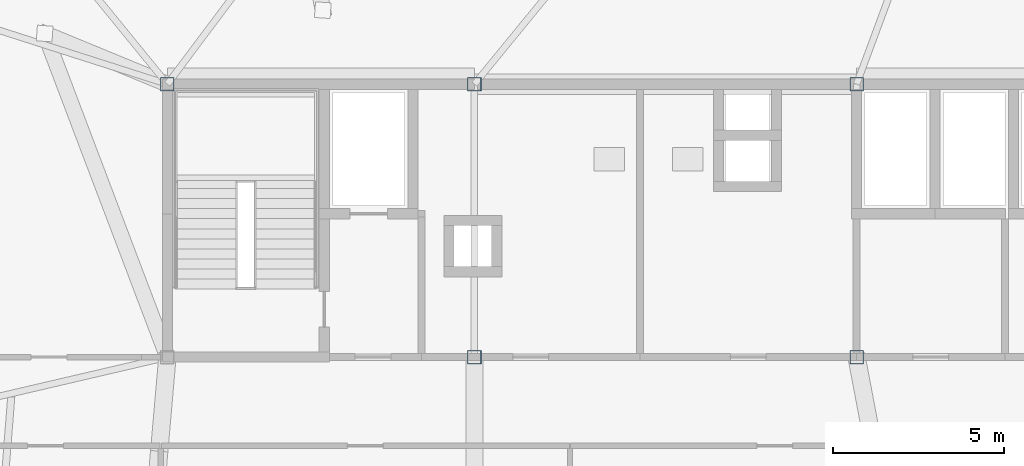
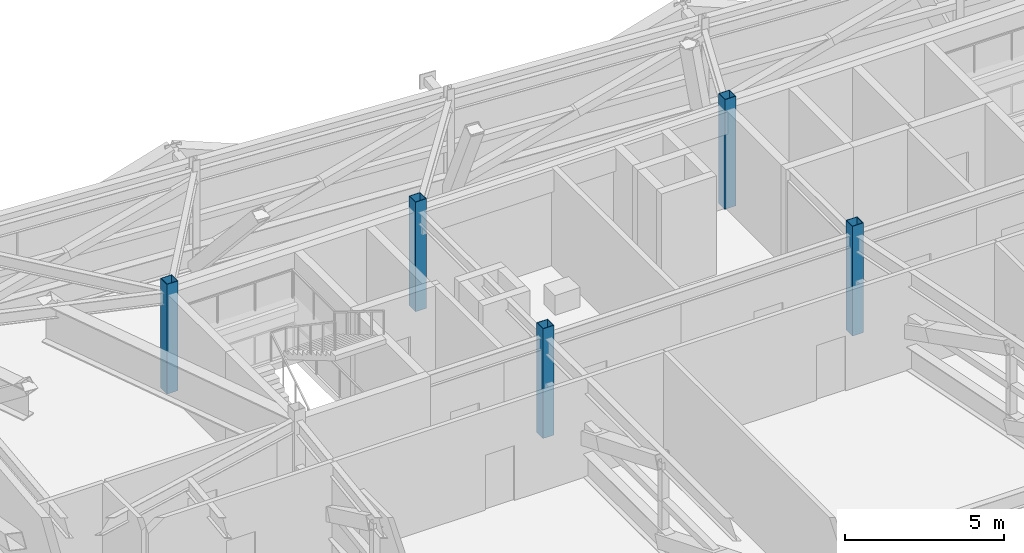
# One storey, part 2 of 24: 5 columns.
"""IFC4 building model written with IfcOpenShell, lengths in metres."""

from ifc_helpers import new_model, si_unit, direction, frame, origin, origin_2d, place, context, subcontext, project, spatial, hollow_rectangle, extrude, source, transform, mapped, material, material_profile, profile_set, type_object, element, save


model = new_model("IFC4")

# Units and contexts
model_context = context("Model", 3, precision=1e-05, world=origin(), true_north=direction((0.0, 1.0)))
body_context = subcontext(model_context, "Body", "Model", "MODEL_VIEW")
ifc_project = project(units=[si_unit("LENGTHUNIT", "METRE"), si_unit("AREAUNIT", "SQUARE_METRE"), si_unit("VOLUMEUNIT", "CUBIC_METRE"), si_unit("PLANEANGLEUNIT", "RADIAN"), si_unit("MASSUNIT", "GRAM", prefix="KILO")], contexts=[model_context])

# Site, building, storey
site_placement = place(None, origin())
site = spatial("IfcSite", under=ifc_project, at=site_placement, CompositionType="ELEMENT")
building_placement = place(site_placement, origin())
building = spatial("IfcBuilding", under=site, at=building_placement, Name="Taldren Reach Tower", CompositionType="ELEMENT")
storey_placement = place(building_placement, frame((0.0, 0.0, 164.5)))
storey = spatial("IfcBuildingStorey", under=building, at=storey_placement, Name="L50", CompositionType="ELEMENT", Elevation=164.5)

# Columns
ifc_material = material(Name="Steel Gr 450 (C450L0)", Category="steel")
ifc_material_profile = material_profile(ifc_material, hollow_rectangle(XDim=0.39990234375, YDim=0.39990234375, WallThickness=0.01611328125, at=origin_2d()), Name="400x400x16.0SHS")
ifc_profile_set = profile_set([ifc_material_profile], Name="Steel Gr 450 (C450L0)")
column_type = type_object("IfcColumnType", Name="COL-SHS400", PredefinedType="COLUMN", material=ifc_profile_set)
shared_shape = source(origin(), body_context, "Body", "SweptSolid", [
    extrude(hollow_rectangle(XDim=0.39990234375, YDim=0.39990234375, WallThickness=0.01611328125, at=origin_2d()), origin(), (0.0, 0.0, 1.0), 4.199951171875),
])
for number, where, z_axis, x_axis, name in (
    (1, (28.0, 24.0, 0.0), (0.0, 0.0, 1.0), (1.0, 0.0, 0.0), "Mega column MC-C2 L50"),
    (2, (39.199951171875, 24.0, 0.0), (0.0, 0.0, 1.0), (1.0, 0.0, 0.0), "Mega column MC-C3 L50"),
    (3, (19.0, 32.0, 0.0), (0.0, 0.0, 1.0), (1.0, 0.0, 0.0), "Mega column MC-C5 L50"),
    (4, (28.0, 32.0, 0.0), (0.0, 0.0, 1.0), (1.0, 0.0, 0.0), "Mega column MC-C6 L50"),
    (5, (39.199951171875, 32.0, 0.0), (0.0, 0.0, 1.0), (1.0, 0.0, 0.0), "Mega column MC-C7 L50"),
):
    element("IfcColumn", number, at=place(storey_placement, frame(where, z_axis=z_axis, x_axis=x_axis)), inside=storey, type_object=column_type, Name=name, PredefinedType="COLUMN", context=body_context, shape_type="MappedRepresentation", body=[
        mapped(shared_shape, transform((0.0, 0.0, 0.0), scale=1.0)),
    ])

save(model, "model.ifc")
